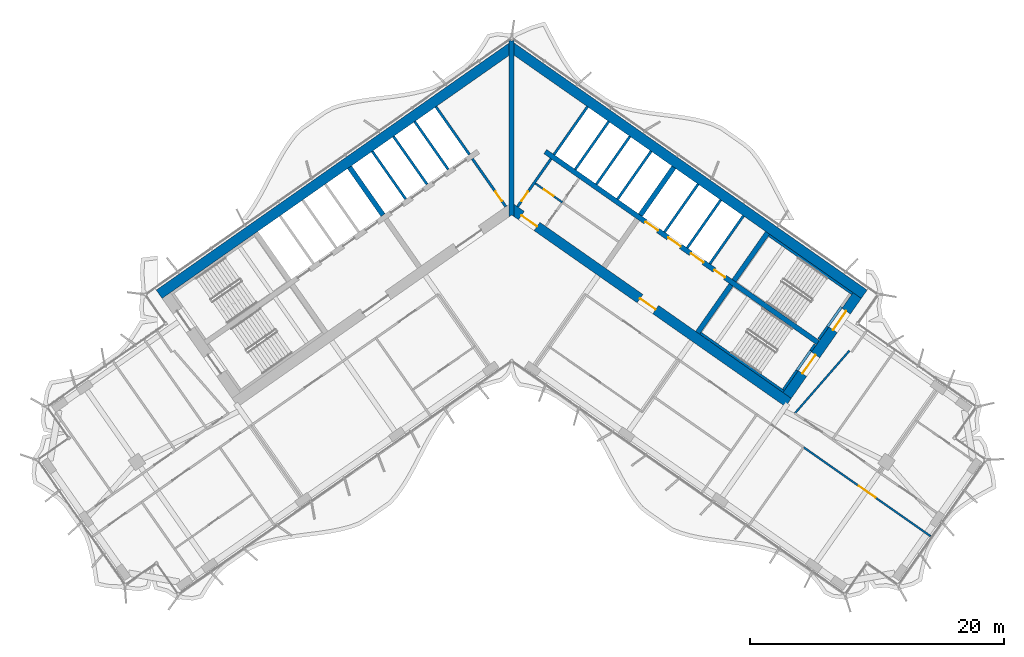
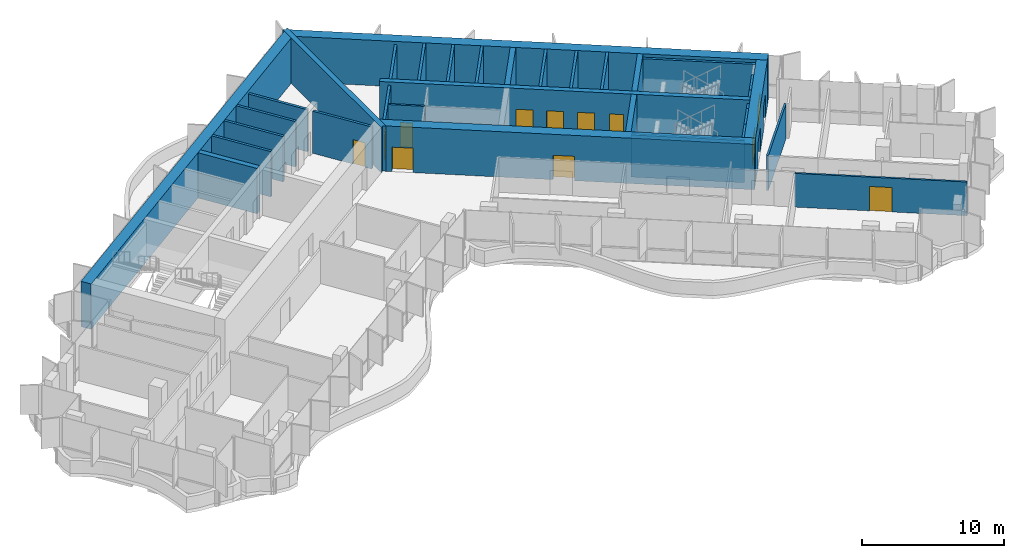
# One storey, part 16 of 23: 33 walls, 12 doors, 12 openings.
"""IFC4 building model written with IfcOpenShell, lengths in metres."""

from ifc_helpers import new_model, si_unit, direction, frame, frame_2d, origin, place, context, subcontext, project, spatial, polyline, rectangle, outline, extrude, material, layer, layer_set, type_object, element, fill, save


model = new_model("IFC4")

# Units and contexts
model_context = context("Model", 3, precision=1e-05, world=origin(), true_north=direction((0.0, 1.0)))
body_context = subcontext(model_context, "Body", "Model", "MODEL_VIEW")
ifc_project = project(units=[si_unit("LENGTHUNIT", "METRE"), si_unit("AREAUNIT", "SQUARE_METRE"), si_unit("VOLUMEUNIT", "CUBIC_METRE"), si_unit("PLANEANGLEUNIT", "RADIAN"), si_unit("MASSUNIT", "GRAM", prefix="KILO")], contexts=[model_context])

# Site, building, storey
site_placement = place(None, origin())
site = spatial("IfcSite", under=ifc_project, at=site_placement, CompositionType="ELEMENT")
building_placement = place(site_placement, origin())
building = spatial("IfcBuilding", under=site, at=building_placement, Name="Tel Ilan Convention Tower", CompositionType="ELEMENT")
storey_placement = place(building_placement, frame((0.0, 0.0, 171.0)))
storey = spatial("IfcBuildingStorey", under=building, at=storey_placement, Name="L39", CompositionType="ELEMENT", Elevation=171.0)

# Wall, opening, door
ifc_material_1 = material(Name="Gypsum Plasterboard on Steel Stud", Category="steel")
ifc_layer_1 = layer(ifc_material_1, 0.14990234375)
ifc_layer_set_1 = layer_set([ifc_layer_1], Name="Core Room Partition Wall 150 mm EI 60")
wall_type_1 = type_object("IfcWallType", Name="Core Room Partition Wall 150 mm EI 60", PredefinedType="PARTITIONING", material=ifc_layer_set_1)
wall_1_placement = place(storey_placement, frame((1.85986328125, 1.261474609375, 0.0), z_axis=(0.0, 0.0, 1.0), x_axis=(0.819103967032, -0.573645091666, 0.0)))
wall_1 = element("IfcWall", 1, at=wall_1_placement, inside=storey, type_object=wall_type_1, Name="L39 core wall wc-h1", PredefinedType="PARTITIONING", context=body_context, shape_type="SweptSolid", body=[
    extrude(rectangle(XDim=2.599853515625, YDim=0.14990234375, at=frame_2d((1.2998046875, 0.0))), origin(), (0.0, 0.0, 1.0), 3.6201171875),
])
opening_1_placement = place(wall_1_placement, frame((0.85009765625, 0.0, 0.0)))
opening_1 = element("IfcOpeningElement", 2, at=opening_1_placement, cuts=wall_1, Name="Opening CD3108", PredefinedType="OPENING", context=body_context, shape_type="SweptSolid", body=[
    extrude(rectangle(XDim=0.89990234375, YDim=2.10009765625, at=frame_2d((0.449951171875, 1.050048828125))), frame((0.0, 0.0849609375, 0.0), z_axis=(0.0, -1.0, 0.0), x_axis=(1.0, 0.0, 0.0)), (0.0, 0.0, 1.0), 0.169921875),
])
ifc_material_2 = material(Name="Laminated Timber Door Leaf", Category="wood")
door_type_1 = type_object("IfcDoorType", Name="Toilet Door 900 x 2100 FD30S", OperationType="NOTDEFINED", PredefinedType="DOOR", material=ifc_material_2)
door_1_placement = place(opening_1_placement, origin())
door_1 = element("IfcDoor", 3, at=door_1_placement, inside=storey, type_object=door_type_1, Name="Accessible WC door", OperationType="SINGLE_SWING_RIGHT", OverallHeight=2.10009765625, OverallWidth=0.89990234375, PredefinedType="DOOR", context=body_context, shape_type="SweptSolid", body=[
    extrude(rectangle(XDim=0.89990234375, YDim=2.10009765625, at=frame_2d((0.449951171875, 1.050048828125))), frame((0.0, 0.02490234375, 0.0), z_axis=(0.0, -1.0, 0.0), x_axis=(1.0, 0.0, 0.0)), (0.0, 0.0, 1.0), 0.050048828125),
])
fill(opening_1, door_1)

ifc_material_3 = material(Name="Concrete C30/37", Category="concrete")
ifc_layer_2 = layer(ifc_material_3, 0.199951171875)
ifc_layer_set_2 = layer_set([ifc_layer_2], Name="Core Service Room Wall 200 mm C30/37")
wall_type_2 = type_object("IfcWallType", Name="Core Service Room Wall 200 mm C30/37", PredefinedType="SOLIDWALL", material=ifc_layer_set_2)
wall_2_placement = place(storey_placement, frame((-0.458740234375, -0.565185546875, 0.0), z_axis=(0.0, 0.0, 1.0), x_axis=(-0.573576324356, 0.819152122709, 0.0)))
wall_2 = element("IfcWall", 4, at=wall_2_placement, inside=storey, type_object=wall_type_2, Name="L39 core wall apex-W", PredefinedType="SOLIDWALL", context=body_context, shape_type="SweptSolid", body=[
    extrude(rectangle(XDim=4.599853515625, YDim=0.199951171875, at=frame_2d((2.2998046875, 0.0))), origin(), (0.0, 0.0, 1.0), 3.6201171875),
])
opening_2_placement = place(wall_2_placement, frame((0.550048828125, 0.0, 0.0)))
opening_2 = element("IfcOpeningElement", 5, at=opening_2_placement, cuts=wall_2, Name="Opening CD3102", PredefinedType="OPENING", context=body_context, shape_type="SweptSolid", body=[
    extrude(rectangle(XDim=0.89990234375, YDim=2.10009765625, at=frame_2d((0.449951171875, 1.050048828125))), frame((0.0, 0.10986328125, 0.0), z_axis=(0.0, -1.0, 0.0), x_axis=(1.0, 0.0, 0.0)), (0.0, 0.0, 1.0), 0.219970703125),
])
ifc_material_4 = material(Name="Galvanised Steel Door Leaf", Category="steel")
door_type_2 = type_object("IfcDoorType", Name="Service Room Door 900 x 2100 FD60", OperationType="NOTDEFINED", PredefinedType="DOOR", material=ifc_material_4)
door_2_placement = place(opening_2_placement, origin())
door_2 = element("IfcDoor", 6, at=door_2_placement, inside=storey, type_object=door_type_2, Name="Electrical Room door", OperationType="SINGLE_SWING_RIGHT", OverallHeight=2.10009765625, OverallWidth=0.89990234375, PredefinedType="DOOR", context=body_context, shape_type="SweptSolid", body=[
    extrude(rectangle(XDim=0.89990234375, YDim=2.10009765625, at=frame_2d((0.449951171875, 1.050048828125))), frame((0.0, 0.02490234375, 0.0), z_axis=(0.0, -1.0, 0.0), x_axis=(1.0, 0.0, 0.0)), (0.0, 0.0, 1.0), 0.050048828125),
])
fill(opening_2, door_2)

# Wall
wall_3_placement = place(storey_placement, frame((-3.32666015625, 3.530517578125, 0.0), z_axis=(0.0, 0.0, 1.0), x_axis=(-0.573576324356, 0.819152122709, 0.0)))
element("IfcWall", 7, at=wall_3_placement, inside=storey, type_object=wall_type_2, Name="L39 core wall apex-W-b", PredefinedType="SOLIDWALL", context=body_context, shape_type="SweptSolid", body=[
    extrude(rectangle(XDim=4.599853515625, YDim=0.199951171875, at=frame_2d((2.2998046875, 0.0))), origin(), (0.0, 0.0, 1.0), 3.6201171875),
])

# Wall, opening, door
wall_4_placement = place(storey_placement, frame((0.458740234375, -0.565185546875, 0.0), z_axis=(0.0, 0.0, 1.0), x_axis=(0.573576324356, 0.819152122709, 0.0)))
wall_4 = element("IfcWall", 8, at=wall_4_placement, inside=storey, type_object=wall_type_2, Name="L39 core wall apex-E", PredefinedType="SOLIDWALL", context=body_context, shape_type="SweptSolid", body=[
    extrude(rectangle(XDim=4.599853515625, YDim=0.199951171875, at=frame_2d((2.2998046875, 0.0))), origin(), (0.0, 0.0, 1.0), 3.6201171875),
])
opening_3_placement = place(wall_4_placement, frame((0.550048828125, 0.0, 0.0)))
opening_3 = element("IfcOpeningElement", 9, at=opening_3_placement, cuts=wall_4, Name="Opening CD3101", PredefinedType="OPENING", context=body_context, shape_type="SweptSolid", body=[
    extrude(rectangle(XDim=0.89990234375, YDim=2.10009765625, at=frame_2d((0.449951171875, 1.050048828125))), frame((0.0, 0.10986328125, 0.0), z_axis=(0.0, -1.0, 0.0), x_axis=(1.0, 0.0, 0.0)), (0.0, 0.0, 1.0), 0.219970703125),
])
door_3_placement = place(opening_3_placement, origin())
door_3 = element("IfcDoor", 10, at=door_3_placement, inside=storey, type_object=door_type_2, Name="Store Room door", OperationType="SINGLE_SWING_RIGHT", OverallHeight=2.10009765625, OverallWidth=0.89990234375, PredefinedType="DOOR", context=body_context, shape_type="SweptSolid", body=[
    extrude(rectangle(XDim=0.89990234375, YDim=2.10009765625, at=frame_2d((0.449951171875, 1.050048828125))), frame((0.0, 0.02490234375, 0.0), z_axis=(0.0, -1.0, 0.0), x_axis=(1.0, 0.0, 0.0)), (0.0, 0.0, 1.0), 0.050048828125),
])
fill(opening_3, door_3)

# Walls
wall_5_placement = place(storey_placement, frame((3.32666015625, 3.530517578125, 0.0), z_axis=(0.0, 0.0, 1.0), x_axis=(0.573576324356, 0.819152122709, 0.0)))
element("IfcWall", 11, at=wall_5_placement, inside=storey, type_object=wall_type_2, Name="L39 core wall apex-E-b", PredefinedType="SOLIDWALL", context=body_context, shape_type="SweptSolid", body=[
    extrude(rectangle(XDim=4.599853515625, YDim=0.199951171875, at=frame_2d((2.2998046875, 0.0))), origin(), (0.0, 0.0, 1.0), 3.6201171875),
])
ifc_material_5 = material(Name="Concrete C50/60", Category="concrete")
ifc_layer_3 = layer(ifc_material_5, 0.39990234375)
ifc_layer_set_3 = layer_set([ifc_layer_3], Name="Core Shear Wall 400 mm C50/60")
wall_type_3 = type_object("IfcWallType", Name="Core Shear Wall 400 mm C50/60", PredefinedType="SHEAR", material=ifc_layer_set_3)
wall_6_placement = place(storey_placement, frame((-10.12548828125, -1.230224609375, 0.0), z_axis=(0.0, 0.0, 1.0), x_axis=(-0.573576324356, 0.819152122709, 0.0)))
element("IfcWall", 12, at=wall_6_placement, inside=storey, type_object=wall_type_3, Name="L39 core wall W-cross1-2", PredefinedType="SHEAR", context=body_context, shape_type="SweptSolid", body=[
    extrude(outline(polyline([(4.60009765625, -0.199951171875), (4.599853515625, 0.199951171875), (0.0, 0.2001953125), (0.0, -0.199951171875), (4.60009765625, -0.199951171875)])), origin(), (0.0, 0.0, 1.0), 3.89990234375),
])
wall_7_placement = place(storey_placement, frame((10.12548828125, -1.230224609375, 0.0), z_axis=(0.0, 0.0, 1.0), x_axis=(0.573576324356, 0.819152122709, 0.0)))
element("IfcWall", 13, at=wall_7_placement, inside=storey, type_object=wall_type_3, Name="L39 core wall E-cross1-2", PredefinedType="SHEAR", context=body_context, shape_type="SweptSolid", body=[
    extrude(outline(polyline([(4.599853515625, -0.199951171875), (4.60009765625, 0.199951171875), (0.0, 0.199951171875), (0.0, -0.2001953125), (4.599853515625, -0.199951171875)])), origin(), (0.0, 0.0, 1.0), 3.89990234375),
])
wall_8_placement = place(storey_placement, frame((14.6298828125, -10.48828125, 0.0), z_axis=(0.0, 0.0, 1.0), x_axis=(0.573611936273, 0.819127185829, 0.0)))
element("IfcWall", 14, at=wall_8_placement, inside=storey, type_object=wall_type_3, Name="L39 core wall E-cross2-1", PredefinedType="SHEAR", context=body_context, shape_type="SweptSolid", body=[
    extrude(outline(polyline([(0.000244140625, 0.199951171875), (0.000244140625, -0.2001953125), (4.60009765625, -0.199951171875), (4.60009765625, 0.2001953125), (0.000244140625, 0.199951171875)])), origin(), (0.0, 0.0, 1.0), 3.89990234375),
])
wall_9_placement = place(storey_placement, frame((17.497802734375, -6.392333984375, 0.0), z_axis=(0.0, 0.0, 1.0), x_axis=(0.573611936273, 0.819127185829, 0.0)))
element("IfcWall", 15, at=wall_9_placement, inside=storey, type_object=wall_type_3, Name="L39 core wall E-cross2-2", PredefinedType="SHEAR", context=body_context, shape_type="SweptSolid", body=[
    extrude(outline(polyline([(4.599853515625, -0.199951171875), (4.599853515625, 0.2001953125), (0.0, 0.199951171875), (0.0, -0.2001953125), (4.599853515625, -0.199951171875)])), origin(), (0.0, 0.0, 1.0), 3.89990234375),
])

# Wall, openings, doors
wall_10_placement = place(storey_placement, frame((2.638427734375, 3.76806640625, 0.0), z_axis=(0.0, 0.0, 1.0), x_axis=(0.81915267502, -0.573575535572, 0.0)))
wall_10 = element("IfcWall", 16, at=wall_10_placement, inside=storey, type_object=wall_type_3, Name="L39 core wall E-spine", PredefinedType="SHEAR", context=body_context, shape_type="SweptSolid", body=[
    extrude(outline(polyline([(0.0, 0.199951171875), (0.0, -0.199951171875), (26.199951171875, -0.199951171875), (26.199951171875, 0.199951171875), (0.0, 0.199951171875)])), origin(), (0.0, 0.0, 1.0), 3.89990234375),
])
opening_4_placement = place(wall_10_placement, frame((9.637451171875, 0.0, 0.0)))
opening_4 = element("IfcOpeningElement", 17, at=opening_4_placement, cuts=wall_10, Name="Opening LD3101", PredefinedType="OPENING", context=body_context, shape_type="SweptSolid", body=[
    extrude(rectangle(XDim=1.199951171875, YDim=2.10009765625, at=frame_2d((0.60009765625, 1.050048828125))), frame((0.0, 0.2099609375, 0.0), z_axis=(0.0, -1.0, 0.0), x_axis=(1.0, 0.0, 0.0)), (0.0, 0.0, 1.0), 0.419921875),
])
opening_5_placement = place(wall_10_placement, frame((11.8125, 0.0, 0.0)))
opening_5 = element("IfcOpeningElement", 18, at=opening_5_placement, cuts=wall_10, Name="Opening LD3102", PredefinedType="OPENING", context=body_context, shape_type="SweptSolid", body=[
    extrude(rectangle(XDim=1.199951171875, YDim=2.10009765625, at=frame_2d((0.60009765625, 1.050048828125))), frame((0.0, 0.2099609375, 0.0), z_axis=(0.0, -1.0, 0.0), x_axis=(1.0, 0.0, 0.0)), (0.0, 0.0, 1.0), 0.419921875),
])
opening_6_placement = place(wall_10_placement, frame((13.987548828125, 0.0, 0.0)))
opening_6 = element("IfcOpeningElement", 19, at=opening_6_placement, cuts=wall_10, Name="Opening LD3103", PredefinedType="OPENING", context=body_context, shape_type="SweptSolid", body=[
    extrude(rectangle(XDim=1.199951171875, YDim=2.10009765625, at=frame_2d((0.60009765625, 1.050048828125))), frame((0.0, 0.2099609375, 0.0), z_axis=(0.0, -1.0, 0.0), x_axis=(1.0, 0.0, 0.0)), (0.0, 0.0, 1.0), 0.419921875),
])
opening_7_placement = place(wall_10_placement, frame((16.262451171875, 0.0, 0.0)))
opening_7 = element("IfcOpeningElement", 20, at=opening_7_placement, cuts=wall_10, Name="Opening CD3107", PredefinedType="OPENING", context=body_context, shape_type="SweptSolid", body=[
    extrude(rectangle(XDim=1.0, YDim=2.10009765625, at=frame_2d((0.5, 1.050048828125))), frame((0.0, 0.2099609375, 0.0), z_axis=(0.0, -1.0, 0.0), x_axis=(1.0, 0.0, 0.0)), (0.0, 0.0, 1.0), 0.419921875),
])
ifc_material_6 = material(Name="Stainless Steel Sliding Door Leaf", Category="steel")
door_type_3 = type_object("IfcDoorType", Name="Lift Landing Door 1200 x 2100 FD120", OperationType="NOTDEFINED", PredefinedType="DOOR", material=ifc_material_6)
door_4_placement = place(opening_4_placement, origin())
door_4 = element("IfcDoor", 21, at=door_4_placement, inside=storey, type_object=door_type_3, Name="Lift FL1 landing door", OperationType="SLIDING_TO_LEFT", OverallHeight=2.10009765625, OverallWidth=1.199951171875, PredefinedType="DOOR", context=body_context, shape_type="SweptSolid", body=[
    extrude(rectangle(XDim=1.199951171875, YDim=2.10009765625, at=frame_2d((0.60009765625, 1.050048828125))), frame((0.0, 0.02490234375, 0.0), z_axis=(0.0, -1.0, 0.0), x_axis=(1.0, 0.0, 0.0)), (0.0, 0.0, 1.0), 0.050048828125),
])
fill(opening_4, door_4)
door_5_placement = place(opening_5_placement, origin())
door_5 = element("IfcDoor", 22, at=door_5_placement, inside=storey, type_object=door_type_3, Name="Lift FL2 landing door", OperationType="SLIDING_TO_RIGHT", OverallHeight=2.10009765625, OverallWidth=1.199951171875, PredefinedType="DOOR", context=body_context, shape_type="SweptSolid", body=[
    extrude(rectangle(XDim=1.199951171875, YDim=2.10009765625, at=frame_2d((0.60009765625, 1.050048828125))), frame((0.0, 0.02490234375, 0.0), z_axis=(0.0, -1.0, 0.0), x_axis=(1.0, 0.0, 0.0)), (0.0, 0.0, 1.0), 0.050048828125),
])
fill(opening_5, door_5)
door_6_placement = place(opening_6_placement, origin())
door_6 = element("IfcDoor", 23, at=door_6_placement, inside=storey, type_object=door_type_3, Name="Lift FL3 landing door", OperationType="SLIDING_TO_LEFT", OverallHeight=2.10009765625, OverallWidth=1.199951171875, PredefinedType="DOOR", context=body_context, shape_type="SweptSolid", body=[
    extrude(rectangle(XDim=1.199951171875, YDim=2.10009765625, at=frame_2d((0.60009765625, 1.050048828125))), frame((0.0, 0.02490234375, 0.0), z_axis=(0.0, -1.0, 0.0), x_axis=(1.0, 0.0, 0.0)), (0.0, 0.0, 1.0), 0.050048828125),
])
fill(opening_6, door_6)
ifc_material_7 = material(Name="Galvanised Steel Door Leaf", Category="steel")
door_type_4 = type_object("IfcDoorType", Name="Service Room Door 1000 x 2100 FD60", OperationType="NOTDEFINED", PredefinedType="DOOR", material=ifc_material_7)
door_7_placement = place(opening_7_placement, origin())
door_7 = element("IfcDoor", 24, at=door_7_placement, inside=storey, type_object=door_type_4, Name="Plant Room door", OperationType="SINGLE_SWING_RIGHT", OverallHeight=2.10009765625, OverallWidth=1.0, PredefinedType="DOOR", context=body_context, shape_type="SweptSolid", body=[
    extrude(rectangle(XDim=1.0, YDim=2.10009765625, at=frame_2d((0.5, 1.050048828125))), frame((0.0, 0.02490234375, 0.0), z_axis=(0.0, -1.0, 0.0), x_axis=(1.0, 0.0, 0.0)), (0.0, 0.0, 1.0), 0.050048828125),
])
fill(opening_7, door_7)

# Walls
wall_11_placement = place(storey_placement, frame((0.0, -1.36083984375, 0.0), z_axis=(0.0, 0.0, 1.0), x_axis=(0.0, 1.0, 0.0)))
element("IfcWall", 25, at=wall_11_placement, inside=storey, type_object=wall_type_3, Name="L39 core wall K-central", PredefinedType="SHEAR", context=body_context, shape_type="SweptSolid", body=[
    extrude(outline(polyline([(0.0, -0.199951171875), (0.14013671875, -0.199951171875), (1.0751953125, -0.199951171875), (12.696044921875, -0.199951171875), (13.812744140625, -0.199951171875), (13.893310546875, -0.199951171875), (13.933349609375, -0.172119140625), (13.812744140625, 0.0), (13.933349609375, 0.172119140625), (13.893310546875, 0.199951171875), (13.812744140625, 0.199951171875), (12.696044921875, 0.199951171875), (1.0751953125, 0.199951171875), (0.14013671875, 0.199951171875), (0.0, 0.199951171875), (0.14013671875, 0.0), (0.0, -0.199951171875)])), origin(), (0.0, 0.0, 1.0), 3.89990234375),
])
ifc_material_8 = material(Name="Concrete C50/60", Category="concrete")
ifc_layer_4 = layer(ifc_material_8, 0.800048828125)
ifc_layer_set_4 = layer_set([ifc_layer_4], Name="Core Shear Wall 800 mm C50/60")
wall_type_4 = type_object("IfcWallType", Name="Core Shear Wall 800 mm C50/60", PredefinedType="SHEAR", material=ifc_layer_set_4)
wall_12_placement = place(storey_placement, frame((0.029296875, 11.984130859375, 0.0), z_axis=(0.0, 0.0, 1.0), x_axis=(-0.819151382952, -0.573577380837, 0.0)))
element("IfcWall", 26, at=wall_12_placement, inside=storey, type_object=wall_type_4, Name="L39 core wall W-back", PredefinedType="SHEAR", context=body_context, shape_type="SweptSolid", body=[
    extrude(outline(polyline([(33.897705078125, 0.39990234375), (0.56005859375, 0.400146484375), (-0.000244140625, -0.39990234375), (33.897705078125, -0.400146484375), (33.897705078125, 0.39990234375)])), origin(), (0.0, 0.0, 1.0), 3.89990234375),
])
wall_13_placement = place(storey_placement, frame((-0.029296875, 11.984130859375, 0.0), z_axis=(0.0, 0.0, 1.0), x_axis=(0.819151382952, -0.573577380837, 0.0)))
element("IfcWall", 27, at=wall_13_placement, inside=storey, type_object=wall_type_4, Name="L39 core wall E-back", PredefinedType="SHEAR", context=body_context, shape_type="SweptSolid", body=[
    extrude(outline(polyline([(33.897705078125, 0.400146484375), (-0.000244140625, 0.39990234375), (0.56005859375, -0.400146484375), (33.897705078125, -0.39990234375), (33.897705078125, 0.400146484375)])), origin(), (0.0, 0.0, 1.0), 3.89990234375),
])

# Wall, openings, doors
wall_14_placement = place(storey_placement, frame((-0.029296875, -0.7119140625, 0.0), z_axis=(0.0, 0.0, 1.0), x_axis=(0.819151758019, -0.573576845187, 0.0)))
wall_14 = element("IfcWall", 28, at=wall_14_placement, inside=storey, type_object=wall_type_4, Name="L39 core wall E-front", PredefinedType="SHEAR", context=body_context, shape_type="SweptSolid", body=[
    extrude(outline(polyline([(26.61572265625, 0.39990234375), (-0.000244140625, 0.39990234375), (0.56005859375, -0.39990234375), (26.61572265625, -0.39990234375), (26.61572265625, 0.39990234375)])), origin(), (0.0, 0.0, 1.0), 3.89990234375),
])
opening_8_placement = place(wall_14_placement, frame((0.9658203125, 0.0, 0.0)))
opening_8 = element("IfcOpeningElement", 29, at=opening_8_placement, cuts=wall_14, Name="Opening CD3103", PredefinedType="OPENING", context=body_context, shape_type="SweptSolid", body=[
    extrude(rectangle(XDim=1.5, YDim=2.10009765625, at=frame_2d((0.75, 1.050048828125))), frame((0.0, 0.409912109375, 0.0), z_axis=(0.0, -1.0, 0.0), x_axis=(1.0, 0.0, 0.0)), (0.0, 0.0, 1.0), 0.820068359375),
])
opening_9_placement = place(wall_14_placement, frame((12.36572265625, 0.0, 0.0)))
opening_9 = element("IfcOpeningElement", 30, at=opening_9_placement, cuts=wall_14, Name="Opening CD3104", PredefinedType="OPENING", context=body_context, shape_type="SweptSolid", body=[
    extrude(rectangle(XDim=1.5, YDim=2.10009765625, at=frame_2d((0.75, 1.050048828125))), frame((0.0, 0.409912109375, 0.0), z_axis=(0.0, -1.0, 0.0), x_axis=(1.0, 0.0, 0.0)), (0.0, 0.0, 1.0), 0.820068359375),
])
ifc_material_9 = material(Name="Glazed Aluminium Door Leaf", Category="aluminium")
door_type_5 = type_object("IfcDoorType", Name="Lobby Opening Door 1500 x 2100 FD60S", OperationType="NOTDEFINED", PredefinedType="DOOR", material=ifc_material_9)
door_8_placement = place(opening_9_placement, origin())
door_8 = element("IfcDoor", 31, at=door_8_placement, inside=storey, type_object=door_type_5, Name="Firefighting Lobby door", OperationType="DOUBLE_DOOR_SINGLE_SWING", OverallHeight=2.10009765625, OverallWidth=1.5, PredefinedType="DOOR", context=body_context, shape_type="SweptSolid", body=[
    extrude(rectangle(XDim=1.5, YDim=2.10009765625, at=frame_2d((0.75, 1.050048828125))), frame((0.0, 0.02490234375, 0.0), z_axis=(0.0, -1.0, 0.0), x_axis=(1.0, 0.0, 0.0)), (0.0, 0.0, 1.0), 0.050048828125),
])
fill(opening_9, door_8)
ifc_material_10 = material(Name="Laminated Timber Door Leaf", Category="wood")
door_type_6 = type_object("IfcDoorType", Name="Toilet Door 1500 x 2100 FD30S", OperationType="NOTDEFINED", PredefinedType="DOOR", material=ifc_material_10)
door_9_placement = place(opening_8_placement, origin())
door_9 = element("IfcDoor", 32, at=door_9_placement, inside=storey, type_object=door_type_6, Name="WC Lobby door", OperationType="SINGLE_SWING_RIGHT", OverallHeight=2.10009765625, OverallWidth=1.5, PredefinedType="DOOR", context=body_context, shape_type="SweptSolid", body=[
    extrude(rectangle(XDim=1.5, YDim=2.10009765625, at=frame_2d((0.75, 1.050048828125))), frame((0.0, 0.02490234375, 0.0), z_axis=(0.0, -1.0, 0.0), x_axis=(1.0, 0.0, 0.0)), (0.0, 0.0, 1.0), 0.050048828125),
])
fill(opening_8, door_9)

wall_15_placement = place(storey_placement, frame((21.6748046875, -15.4208984375, 0.0), z_axis=(0.0, 0.0, 1.0), x_axis=(0.573581815061, 0.819148278049, 0.0)))
wall_15 = element("IfcWall", 33, at=wall_15_placement, inside=storey, type_object=wall_type_4, Name="L39 core wall E-end", PredefinedType="SHEAR", context=body_context, shape_type="SweptSolid", body=[
    extrude(outline(polyline([(9.599853515625, 0.400146484375), (0.0, 0.39990234375), (0.0, -0.39990234375), (9.599853515625, -0.39990234375), (9.599853515625, 0.400146484375)])), origin(), (0.0, 0.0, 1.0), 3.89990234375),
])
opening_10_placement = place(wall_15_placement, frame((6.300048828125, 0.0, 0.0)))
opening_10 = element("IfcOpeningElement", 34, at=opening_10_placement, cuts=wall_15, Name="Opening SD3103", PredefinedType="OPENING", context=body_context, shape_type="SweptSolid", body=[
    extrude(rectangle(XDim=1.800048828125, YDim=2.10009765625, at=frame_2d((0.89990234375, 1.050048828125))), frame((0.0, 0.409912109375, 0.0), z_axis=(0.0, -1.0, 0.0), x_axis=(1.0, 0.0, 0.0)), (0.0, 0.0, 1.0), 0.820068359375),
])
opening_11_placement = place(wall_15_placement, frame((2.10009765625, 0.0, 0.0)))
opening_11 = element("IfcOpeningElement", 35, at=opening_11_placement, cuts=wall_15, Name="Opening SD3104", PredefinedType="OPENING", context=body_context, shape_type="SweptSolid", body=[
    extrude(rectangle(XDim=1.800048828125, YDim=2.10009765625, at=frame_2d((0.89990234375, 1.050048828125))), frame((0.0, 0.409912109375, 0.0), z_axis=(0.0, -1.0, 0.0), x_axis=(1.0, 0.0, 0.0)), (0.0, 0.0, 1.0), 0.820068359375),
])
ifc_material_11 = material(Name="Galvanised Steel Door Leaf", Category="steel")
door_type_7 = type_object("IfcDoorType", Name="Stair Fire Door 1800 x 2100 FD60S", OperationType="NOTDEFINED", PredefinedType="DOOR", material=ifc_material_11)
door_10_placement = place(opening_10_placement, origin())
door_10 = element("IfcDoor", 36, at=door_10_placement, inside=storey, type_object=door_type_7, Name="Stair S3 door", OperationType="DOUBLE_DOOR_SINGLE_SWING", OverallHeight=2.10009765625, OverallWidth=1.800048828125, PredefinedType="DOOR", context=body_context, shape_type="SweptSolid", body=[
    extrude(rectangle(XDim=1.800048828125, YDim=2.10009765625, at=frame_2d((0.89990234375, 1.050048828125))), frame((0.0, 0.02490234375, 0.0), z_axis=(0.0, -1.0, 0.0), x_axis=(1.0, 0.0, 0.0)), (0.0, 0.0, 1.0), 0.050048828125),
])
fill(opening_10, door_10)
door_11_placement = place(opening_11_placement, origin())
door_11 = element("IfcDoor", 37, at=door_11_placement, inside=storey, type_object=door_type_7, Name="Stair S4 door", OperationType="DOUBLE_DOOR_SINGLE_SWING", OverallHeight=2.10009765625, OverallWidth=1.800048828125, PredefinedType="DOOR", context=body_context, shape_type="SweptSolid", body=[
    extrude(rectangle(XDim=1.800048828125, YDim=2.10009765625, at=frame_2d((0.89990234375, 1.050048828125))), frame((0.0, 0.02490234375, 0.0), z_axis=(0.0, -1.0, 0.0), x_axis=(1.0, 0.0, 0.0)), (0.0, 0.0, 1.0), 0.050048828125),
])
fill(opening_11, door_11)

# Wall, opening, door
ifc_material_12 = material(Name="Plasterboard on Steel Studs", Category="steel")
ifc_layer_5 = layer(ifc_material_12, 0.14990234375)
ifc_layer_set_5 = layer_set([ifc_layer_5], Name="Fire-rated Partition 150 EI 60")
wall_type_5 = type_object("IfcWallType", Name="Fire-rated Partition 150 EI 60", PredefinedType="PARTITIONING", material=ifc_layer_set_5)
wall_16_placement = place(storey_placement, frame((32.962158203125, -26.49853515625, 0.0), z_axis=(0.0, 0.0, 1.0), x_axis=(-0.819153894559, 0.573573793882, 0.0)))
wall_16 = element("IfcWall", 38, at=wall_16_placement, inside=storey, type_object=wall_type_5, Name="Partition 007", PredefinedType="PARTITIONING", context=body_context, shape_type="SweptSolid", body=[
    extrude(rectangle(XDim=12.2021484375, YDim=0.14990234375, at=frame_2d((6.10107421875, 0.0))), origin(), (0.0, 0.0, 1.0), 2.89990234375),
])
opening_12_placement = place(wall_16_placement, frame((5.301025390625, 0.0, 0.0)))
opening_12 = element("IfcOpeningElement", 39, at=opening_12_placement, cuts=wall_16, Name="Opening L39-016", PredefinedType="OPENING", context=body_context, shape_type="SweptSolid", body=[
    extrude(rectangle(XDim=1.60009765625, YDim=2.10009765625, at=frame_2d((0.800048828125, 1.050048828125))), frame((0.0, 0.0849609375, 0.0), z_axis=(0.0, -1.0, 0.0), x_axis=(1.0, 0.0, 0.0)), (0.0, 0.0, 1.0), 0.169921875),
])
ifc_material_13 = material(Name="Timber Door Leaf in Steel Frame", Category="steel")
door_type_8 = type_object("IfcDoorType", Name="Tenant Suite Entrance Fire Door 1600x2100", OperationType="NOTDEFINED", PredefinedType="DOOR", material=ifc_material_13)
door_12_placement = place(opening_12_placement, origin())
door_12 = element("IfcDoor", 40, at=door_12_placement, inside=storey, type_object=door_type_8, Name="Door L39-016", OperationType="DOUBLE_DOOR_SINGLE_SWING", OverallHeight=2.10009765625, OverallWidth=1.60009765625, PredefinedType="DOOR", context=body_context, shape_type="SweptSolid", body=[
    extrude(rectangle(XDim=1.60009765625, YDim=2.10009765625, at=frame_2d((0.800048828125, 1.050048828125))), frame((0.0, 0.02490234375, 0.0), z_axis=(0.0, -1.0, 0.0), x_axis=(1.0, 0.0, 0.0)), (0.0, 0.0, 1.0), 0.050048828125),
])
fill(opening_12, door_12)

# Walls
wall_17_placement = place(storey_placement, frame((22.284912109375, -16.82470703125, 0.0), z_axis=(0.0, 0.0, 1.0), x_axis=(0.656781429942, 0.754080999153, 0.0)))
element("IfcWall", 41, at=wall_17_placement, inside=storey, type_object=wall_type_5, Name="Partition 018", PredefinedType="PARTITIONING", context=body_context, shape_type="SweptSolid", body=[
    extrude(rectangle(XDim=6.536376953125, YDim=0.14990234375, at=frame_2d((3.26806640625, 0.0))), origin(), (0.0, 0.0, 1.0), 3.0),
])
ifc_material_14 = material(Name="Concrete C30/37", Category="concrete")
ifc_layer_6 = layer(ifc_material_14, 0.199951171875)
ifc_layer_set_6 = layer_set([ifc_layer_6], Name="Lift Shaft Wall 200 mm C30/37")
wall_type_6 = type_object("IfcWallType", Name="Lift Shaft Wall 200 mm C30/37", PredefinedType="SOLIDWALL", material=ifc_layer_set_6)
for number, where, z_axis, x_axis, name in (
    (42, (-4.99560546875, 2.36181640625, 0.0), (0.0, 0.0, 1.0), (-0.573576324356, 0.819152122709, 0.0), "L39 core wall bank-W1-p0"),
    (43, (-6.66455078125, 1.193115234375, 0.0), (0.0, 0.0, 1.0), (-0.573576324356, 0.819152122709, 0.0), "L39 core wall bank-W1-p1"),
):
    element("IfcWall", number, at=place(storey_placement, frame(where, z_axis=z_axis, x_axis=x_axis)), inside=storey, type_object=wall_type_6, Name=name, PredefinedType="SOLIDWALL", context=body_context, shape_type="SweptSolid", body=[
        extrude(rectangle(XDim=4.599853515625, YDim=0.199951171875, at=frame_2d((2.2998046875, 0.0))), origin(), (0.0, 0.0, 1.0), 3.89990234375),
    ])
wall_18_placement = place(storey_placement, frame((-8.33349609375, 0.0244140625, 0.0), z_axis=(0.0, 0.0, 1.0), x_axis=(-0.573611936273, 0.819127185829, 0.0)))
element("IfcWall", 44, at=wall_18_placement, inside=storey, type_object=wall_type_6, Name="L39 core wall bank-W1-p2", PredefinedType="SOLIDWALL", context=body_context, shape_type="SweptSolid", body=[
    extrude(rectangle(XDim=4.60009765625, YDim=0.199951171875, at=frame_2d((2.300048828125, 0.0))), origin(), (0.0, 0.0, 1.0), 3.89990234375),
])
for number, where, z_axis, x_axis, name in (
    (45, (4.99560546875, 2.36181640625, 0.0), (0.0, 0.0, 1.0), (0.573576324356, 0.819152122709, 0.0), "L39 core wall bank-E1-p0"),
    (46, (6.66455078125, 1.193115234375, 0.0), (0.0, 0.0, 1.0), (0.573576324356, 0.819152122709, 0.0), "L39 core wall bank-E1-p1"),
):
    element("IfcWall", number, at=place(storey_placement, frame(where, z_axis=z_axis, x_axis=x_axis)), inside=storey, type_object=wall_type_6, Name=name, PredefinedType="SOLIDWALL", context=body_context, shape_type="SweptSolid", body=[
        extrude(rectangle(XDim=4.599853515625, YDim=0.199951171875, at=frame_2d((2.2998046875, 0.0))), origin(), (0.0, 0.0, 1.0), 3.89990234375),
    ])
wall_19_placement = place(storey_placement, frame((8.33349609375, 0.0244140625, 0.0), z_axis=(0.0, 0.0, 1.0), x_axis=(0.573611936273, 0.819127185829, 0.0)))
element("IfcWall", 47, at=wall_19_placement, inside=storey, type_object=wall_type_6, Name="L39 core wall bank-E1-p2", PredefinedType="SOLIDWALL", context=body_context, shape_type="SweptSolid", body=[
    extrude(rectangle(XDim=4.60009765625, YDim=0.199951171875, at=frame_2d((2.300048828125, 0.0))), origin(), (0.0, 0.0, 1.0), 3.89990234375),
])
for number, where, z_axis, x_axis, name in (
    (48, (12.030029296875, -2.563720703125, 0.0), (0.0, 0.0, 1.0), (0.573576324356, 0.819152122709, 0.0), "L39 core wall bank-E2-p0"),
    (49, (13.811767578125, -3.811279296875, 0.0), (0.0, 0.0, 1.0), (0.573576324356, 0.819152122709, 0.0), "L39 core wall bank-E2-p1"),
    (50, (15.593505859375, -5.058837890625, 0.0), (0.0, 0.0, 1.0), (0.573540709186, 0.819177059558, 0.0), "L39 core wall bank-E2-p2"),
):
    element("IfcWall", number, at=place(storey_placement, frame(where, z_axis=z_axis, x_axis=x_axis)), inside=storey, type_object=wall_type_6, Name=name, PredefinedType="SOLIDWALL", context=body_context, shape_type="SweptSolid", body=[
        extrude(rectangle(XDim=4.599853515625, YDim=0.199951171875, at=frame_2d((2.2998046875, 0.0))), origin(), (0.0, 0.0, 1.0), 3.89990234375),
    ])
ifc_material_15 = material(Name="Concrete C30/37", Category="concrete")
ifc_layer_7 = layer(ifc_material_15, 0.199951171875)
ifc_layer_set_7 = layer_set([ifc_layer_7], Name="Stair and Shaft Lining Wall 200 mm C30/37")
wall_type_7 = type_object("IfcWallType", Name="Stair and Shaft Lining Wall 200 mm C30/37", PredefinedType="SOLIDWALL", material=ifc_layer_set_7)
wall_20_placement = place(storey_placement, frame((20.242919921875, -2.821044921875, 0.0), z_axis=(0.0, 0.0, 1.0), x_axis=(0.819141584393, -0.57359137434, 0.0)))
element("IfcWall", 51, at=wall_20_placement, inside=storey, type_object=wall_type_7, Name="L39 core wall lining-S3-t1", PredefinedType="SOLIDWALL", context=body_context, shape_type="SweptSolid", body=[
    extrude(rectangle(XDim=7.999755859375, YDim=0.199951171875, at=frame_2d((4.0, 0.0))), origin(), (0.0, 0.0, 1.0), 3.6201171875),
])
wall_21_placement = place(storey_placement, frame((24.16162109375, -10.99755859375, 0.0), z_axis=(0.0, 0.0, 1.0), x_axis=(0.573612502218, 0.819126789514, 0.0)))
element("IfcWall", 52, at=wall_21_placement, inside=storey, type_object=wall_type_7, Name="L39 core wall lining-S3-u1-0", PredefinedType="SOLIDWALL", context=body_context, shape_type="SweptSolid", body=[
    extrude(rectangle(XDim=1.2001953125, YDim=0.199951171875, at=frame_2d((0.60009765625, 0.0))), origin(), (0.0, 0.0, 1.0), 3.6201171875),
])
wall_22_placement = place(storey_placement, frame((24.85009765625, -10.014404296875, 2.14990234375), z_axis=(0.0, 0.0, 1.0), x_axis=(0.573505465124, 0.819201734296, 0.0)))
element("IfcWall", 53, at=wall_22_placement, inside=storey, type_object=wall_type_7, Name="L39 core wall lining-S3-u1-lintel", PredefinedType="SOLIDWALL", context=body_context, shape_type="SweptSolid", body=[
    extrude(rectangle(XDim=1.89990234375, YDim=0.199951171875, at=frame_2d((0.949951171875, 0.0))), origin(), (0.0, 0.0, 1.0), 1.47021484375),
])
wall_23_placement = place(storey_placement, frame((14.851318359375, -10.52099609375, 0.0), z_axis=(0.0, 0.0, 1.0), x_axis=(0.819141584393, -0.57359137434, 0.0)))
element("IfcWall", 54, at=wall_23_placement, inside=storey, type_object=wall_type_7, Name="L39 core wall lining-S4-t0", PredefinedType="SOLIDWALL", context=body_context, shape_type="SweptSolid", body=[
    extrude(rectangle(XDim=7.999755859375, YDim=0.199951171875, at=frame_2d((4.0, 0.0))), origin(), (0.0, 0.0, 1.0), 3.6201171875),
])
wall_24_placement = place(storey_placement, frame((21.3798828125, -14.97021484375, 0.0), z_axis=(0.0, 0.0, 1.0), x_axis=(0.573559770908, 0.819163713305, 0.0)))
element("IfcWall", 55, at=wall_24_placement, inside=storey, type_object=wall_type_7, Name="L39 core wall lining-S4-u1-0", PredefinedType="SOLIDWALL", context=body_context, shape_type="SweptSolid", body=[
    extrude(rectangle(XDim=1.849853515625, YDim=0.199951171875, at=frame_2d((0.9248046875, 0.0))), origin(), (0.0, 0.0, 1.0), 3.6201171875),
])
wall_25_placement = place(storey_placement, frame((23.53076171875, -11.8984375, 0.0), z_axis=(0.0, 0.0, 1.0), x_axis=(0.573708088123, 0.819059844958, 0.0)))
element("IfcWall", 56, at=wall_25_placement, inside=storey, type_object=wall_type_7, Name="L39 core wall lining-S4-u1-1", PredefinedType="SOLIDWALL", context=body_context, shape_type="SweptSolid", body=[
    extrude(rectangle(XDim=0.60009765625, YDim=0.199951171875, at=frame_2d((0.300048828125, 0.0))), origin(), (0.0, 0.0, 1.0), 3.6201171875),
])
wall_26_placement = place(storey_placement, frame((22.44091796875, -13.454833984375, 2.14990234375), z_axis=(0.0, 0.0, 1.0), x_axis=(0.573591692345, 0.819141361715, 0.0)))
element("IfcWall", 57, at=wall_26_placement, inside=storey, type_object=wall_type_7, Name="L39 core wall lining-S4-u1-lintel", PredefinedType="SOLIDWALL", context=body_context, shape_type="SweptSolid", body=[
    extrude(rectangle(XDim=1.900146484375, YDim=0.199951171875, at=frame_2d((0.9501953125, 0.0))), origin(), (0.0, 0.0, 1.0), 1.47021484375),
])

save(model, "model.ifc")
